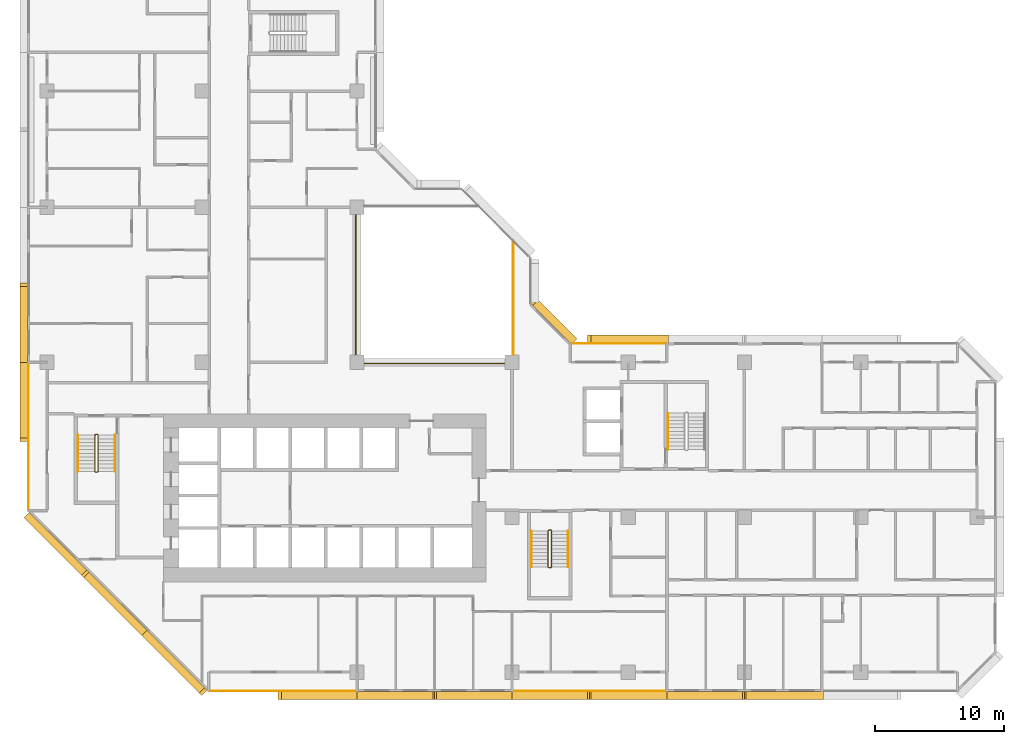
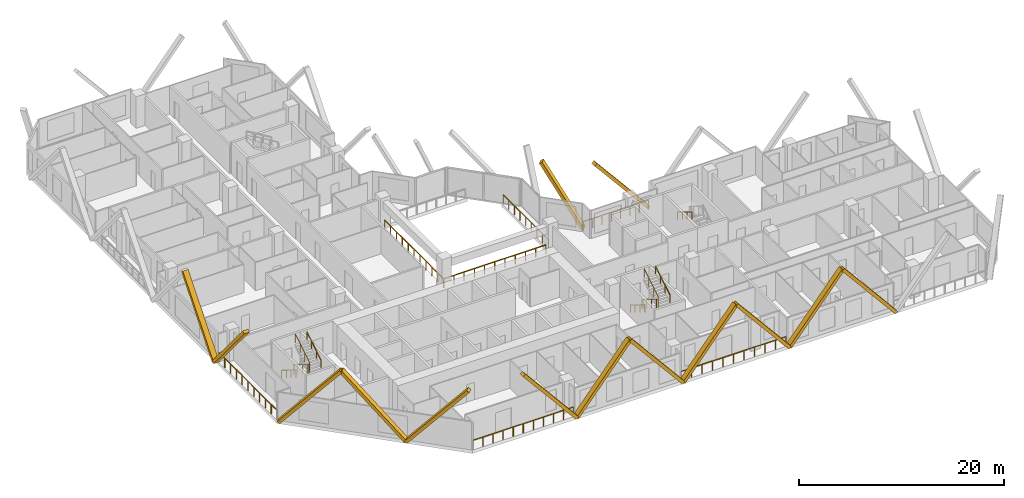
# One storey, part 15 of 16: 14 coverings, 13 railings.
"""IFC4 building model written with IfcOpenShell, lengths in metres."""

from ifc_helpers import new_model, si_unit, direction, frame, origin, origin_2d, place, context, subcontext, project, spatial, rectangle, extrude, material, material_profile, profile_set, type_object, element, save


model = new_model("IFC4")

# Units and contexts
model_context = context("Model", 3, precision=1e-05, world=origin(), true_north=direction((0.0, 1.0)))
body_context = subcontext(model_context, "Body", "Model", "MODEL_VIEW")
ifc_project = project(units=[si_unit("LENGTHUNIT", "METRE"), si_unit("AREAUNIT", "SQUARE_METRE"), si_unit("VOLUMEUNIT", "CUBIC_METRE"), si_unit("PLANEANGLEUNIT", "RADIAN"), si_unit("MASSUNIT", "GRAM", prefix="KILO")], contexts=[model_context])

# Site, building, storey
site_placement = place(None, origin())
site = spatial("IfcSite", under=ifc_project, at=site_placement, CompositionType="ELEMENT")
building_placement = place(site_placement, origin())
building = spatial("IfcBuilding", under=site, at=building_placement, Name="Chenar Terraces", CompositionType="ELEMENT")
storey_placement = place(building_placement, frame((0.0, 0.0, 71.39990234375)))
storey = spatial("IfcBuildingStorey", under=building, at=storey_placement, Name="L15", CompositionType="ELEMENT", Elevation=71.39990234375)

# Railings
ifc_material_1 = material(Name="Powder-coated steel", Category="steel")
railing_type_1 = type_object("IfcRailingType", Name="Guard 1100 steel rail with glass infill", PredefinedType="GUARDRAIL", material=ifc_material_1)
railing_1_placement = place(storey_placement, frame((23.89990234375, 35.449951171875, 0.0)))
element("IfcRailing", 1, at=railing_1_placement, inside=storey, type_object=railing_type_1, Name="Guard L15-1", PredefinedType="GUARDRAIL", context=body_context, shape_type="SweptSolid", body=[
    extrude(rectangle(XDim=0.06005859375, YDim=0.06005859375, at=origin_2d()), frame((0.0, 0.0, 1.070068359375), z_axis=(0.0, -1.0, 0.0), x_axis=(1.0, 0.0, 0.0)), (0.0, 0.0, 1.0), 11.550048828125),
    extrude(rectangle(XDim=0.06005859375, YDim=0.06005859375, at=origin_2d()), frame((0.0, -11.550048828125, 1.070068359375), z_axis=(1.0, 0.0, 0.0), x_axis=(0.0, 1.0, 0.0)), (0.0, 0.0, 1.0), 11.550048828125),
    extrude(rectangle(XDim=0.050048828125, YDim=0.050048828125, at=origin_2d()), origin(), (0.0, 0.0, 1.0), 1.0400390625),
    extrude(rectangle(XDim=0.050048828125, YDim=0.050048828125, at=origin_2d()), frame((0.0, -1.155029296875, 0.0)), (0.0, 0.0, 1.0), 1.0400390625),
    extrude(rectangle(XDim=0.050048828125, YDim=0.050048828125, at=origin_2d()), frame((0.0, -2.31005859375, 0.0)), (0.0, 0.0, 1.0), 1.0400390625),
    extrude(rectangle(XDim=0.050048828125, YDim=0.050048828125, at=origin_2d()), frame((0.0, -3.465087890625, 0.0)), (0.0, 0.0, 1.0), 1.0400390625),
    extrude(rectangle(XDim=0.050048828125, YDim=0.050048828125, at=origin_2d()), frame((0.0, -4.6201171875, 0.0)), (0.0, 0.0, 1.0), 1.0400390625),
    extrude(rectangle(XDim=0.050048828125, YDim=0.050048828125, at=origin_2d()), frame((0.0, -5.77490234375, 0.0)), (0.0, 0.0, 1.0), 1.0400390625),
    extrude(rectangle(XDim=0.050048828125, YDim=0.050048828125, at=origin_2d()), frame((0.0, -6.929931640625, 0.0)), (0.0, 0.0, 1.0), 1.0400390625),
    extrude(rectangle(XDim=0.050048828125, YDim=0.050048828125, at=origin_2d()), frame((0.0, -8.0849609375, 0.0)), (0.0, 0.0, 1.0), 1.0400390625),
    extrude(rectangle(XDim=0.050048828125, YDim=0.050048828125, at=origin_2d()), frame((0.0, -9.239990234375, 0.0)), (0.0, 0.0, 1.0), 1.0400390625),
    extrude(rectangle(XDim=0.050048828125, YDim=0.050048828125, at=origin_2d()), frame((0.0, -10.39501953125, 0.0)), (0.0, 0.0, 1.0), 1.0400390625),
    extrude(rectangle(XDim=0.050048828125, YDim=0.050048828125, at=origin_2d()), frame((0.0, -11.550048828125, 0.0)), (0.0, 0.0, 1.0), 1.0400390625),
    extrude(rectangle(XDim=0.050048828125, YDim=0.050048828125, at=origin_2d()), frame((1.155029296875, -11.550048828125, 0.0)), (0.0, 0.0, 1.0), 1.0400390625),
    extrude(rectangle(XDim=0.050048828125, YDim=0.050048828125, at=origin_2d()), frame((2.31005859375, -11.550048828125, 0.0)), (0.0, 0.0, 1.0), 1.0400390625),
    extrude(rectangle(XDim=0.050048828125, YDim=0.050048828125, at=origin_2d()), frame((3.465087890625, -11.550048828125, 0.0)), (0.0, 0.0, 1.0), 1.0400390625),
    extrude(rectangle(XDim=0.050048828125, YDim=0.050048828125, at=origin_2d()), frame((4.6201171875, -11.550048828125, 0.0)), (0.0, 0.0, 1.0), 1.0400390625),
    extrude(rectangle(XDim=0.050048828125, YDim=0.050048828125, at=origin_2d()), frame((5.77490234375, -11.550048828125, 0.0)), (0.0, 0.0, 1.0), 1.0400390625),
    extrude(rectangle(XDim=0.050048828125, YDim=0.050048828125, at=origin_2d()), frame((6.929931640625, -11.550048828125, 0.0)), (0.0, 0.0, 1.0), 1.0400390625),
    extrude(rectangle(XDim=0.050048828125, YDim=0.050048828125, at=origin_2d()), frame((8.0849609375, -11.550048828125, 0.0)), (0.0, 0.0, 1.0), 1.0400390625),
    extrude(rectangle(XDim=0.050048828125, YDim=0.050048828125, at=origin_2d()), frame((9.239990234375, -11.550048828125, 0.0)), (0.0, 0.0, 1.0), 1.0400390625),
    extrude(rectangle(XDim=0.050048828125, YDim=0.050048828125, at=origin_2d()), frame((10.39501953125, -11.550048828125, 0.0)), (0.0, 0.0, 1.0), 1.0400390625),
    extrude(rectangle(XDim=0.050048828125, YDim=0.050048828125, at=origin_2d()), frame((11.550048828125, -11.550048828125, 0.0)), (0.0, 0.0, 1.0), 1.0400390625),
])
railing_2_placement = place(storey_placement, frame((36.10009765625, 24.60009765625, 0.0)))
element("IfcRailing", 2, at=railing_2_placement, inside=storey, type_object=railing_type_1, Name="Guard L15-3", PredefinedType="GUARDRAIL", context=body_context, shape_type="SweptSolid", body=[
    extrude(rectangle(XDim=0.06005859375, YDim=0.06005859375, at=origin_2d()), frame((0.0, 0.0, 1.070068359375), z_axis=(0.0, 1.0, 0.0), x_axis=(-1.0, 0.0, 0.0)), (0.0, 0.0, 1.0), 8.7998046875),
    extrude(rectangle(XDim=0.050048828125, YDim=0.050048828125, at=origin_2d()), origin(), (0.0, 0.0, 1.0), 1.0400390625),
    extrude(rectangle(XDim=0.050048828125, YDim=0.050048828125, at=origin_2d()), frame((0.0, 1.10009765625, 0.0)), (0.0, 0.0, 1.0), 1.0400390625),
    extrude(rectangle(XDim=0.050048828125, YDim=0.050048828125, at=origin_2d()), frame((0.0, 2.199951171875, 0.0)), (0.0, 0.0, 1.0), 1.0400390625),
    extrude(rectangle(XDim=0.050048828125, YDim=0.050048828125, at=origin_2d()), frame((0.0, 3.2998046875, 0.0)), (0.0, 0.0, 1.0), 1.0400390625),
    extrude(rectangle(XDim=0.050048828125, YDim=0.050048828125, at=origin_2d()), frame((0.0, 4.39990234375, 0.0)), (0.0, 0.0, 1.0), 1.0400390625),
    extrude(rectangle(XDim=0.050048828125, YDim=0.050048828125, at=origin_2d()), frame((0.0, 5.5, 0.0)), (0.0, 0.0, 1.0), 1.0400390625),
    extrude(rectangle(XDim=0.050048828125, YDim=0.050048828125, at=origin_2d()), frame((0.0, 6.599853515625, 0.0)), (0.0, 0.0, 1.0), 1.0400390625),
    extrude(rectangle(XDim=0.050048828125, YDim=0.050048828125, at=origin_2d()), frame((0.0, 7.69970703125, 0.0)), (0.0, 0.0, 1.0), 1.0400390625),
    extrude(rectangle(XDim=0.050048828125, YDim=0.050048828125, at=origin_2d()), frame((0.0, 8.7998046875, 0.0)), (0.0, 0.0, 1.0), 1.0400390625),
])
ifc_material_2 = material(Name="Stainless steel and glass", Category="steel")
railing_type_2 = type_object("IfcRailingType", Name="Loggia guard 1150", PredefinedType="GUARDRAIL", material=ifc_material_2)
railing_3_placement = place(storey_placement, frame((47.925048828125, 25.449951171875, 0.0)))
element("IfcRailing", 3, at=railing_3_placement, inside=storey, type_object=railing_type_2, Name="Loggia guard", PredefinedType="GUARDRAIL", context=body_context, shape_type="SweptSolid", body=[
    extrude(rectangle(XDim=0.048095703125, YDim=0.048095703125, at=origin_2d()), frame((0.0, 0.0, 1.1259765625), z_axis=(-1.0, 0.0, 0.0), x_axis=(0.0, -1.0, 0.0)), (0.0, 0.0, 1.0), 7.35009765625),
    extrude(rectangle(XDim=0.0419921875, YDim=0.0419921875, at=origin_2d()), origin(), (0.0, 0.0, 1.0), 1.101806640625),
    extrude(rectangle(XDim=0.0419921875, YDim=0.0419921875, at=origin_2d()), frame((-1.050048828125, 0.0, 0.0)), (0.0, 0.0, 1.0), 1.101806640625),
    extrude(rectangle(XDim=0.0419921875, YDim=0.0419921875, at=origin_2d()), frame((-2.10009765625, 0.0, 0.0)), (0.0, 0.0, 1.0), 1.101806640625),
    extrude(rectangle(XDim=0.0419921875, YDim=0.0419921875, at=origin_2d()), frame((-3.150146484375, 0.0, 0.0)), (0.0, 0.0, 1.0), 1.101806640625),
    extrude(rectangle(XDim=0.0419921875, YDim=0.0419921875, at=origin_2d()), frame((-4.199951171875, 0.0, 0.0)), (0.0, 0.0, 1.0), 1.101806640625),
    extrude(rectangle(XDim=0.0419921875, YDim=0.0419921875, at=origin_2d()), frame((-5.25, 0.0, 0.0)), (0.0, 0.0, 1.0), 1.101806640625),
    extrude(rectangle(XDim=0.0419921875, YDim=0.0419921875, at=origin_2d()), frame((-6.300048828125, 0.0, 0.0)), (0.0, 0.0, 1.0), 1.101806640625),
    extrude(rectangle(XDim=0.0419921875, YDim=0.0419921875, at=origin_2d()), frame((-7.35009765625, 0.0, 0.0)), (0.0, 0.0, 1.0), 1.101806640625),
])
railing_4_placement = place(storey_placement, frame((12.574951171875, -1.449951171875, 0.0)))
element("IfcRailing", 4, at=railing_4_placement, inside=storey, type_object=railing_type_2, Name="Loggia guard", PredefinedType="GUARDRAIL", context=body_context, shape_type="SweptSolid", body=[
    extrude(rectangle(XDim=0.048095703125, YDim=0.048095703125, at=origin_2d()), frame((0.0, 0.0, 1.1259765625), z_axis=(1.0, 0.0, 0.0), x_axis=(0.0, 1.0, 0.0)), (0.0, 0.0, 1.0), 11.35009765625),
    extrude(rectangle(XDim=0.0419921875, YDim=0.0419921875, at=origin_2d()), origin(), (0.0, 0.0, 1.0), 1.101806640625),
    extrude(rectangle(XDim=0.0419921875, YDim=0.0419921875, at=origin_2d()), frame((1.135009765625, 0.0, 0.0)), (0.0, 0.0, 1.0), 1.101806640625),
    extrude(rectangle(XDim=0.0419921875, YDim=0.0419921875, at=origin_2d()), frame((2.27001953125, 0.0, 0.0)), (0.0, 0.0, 1.0), 1.101806640625),
    extrude(rectangle(XDim=0.0419921875, YDim=0.0419921875, at=origin_2d()), frame((3.405029296875, 0.0, 0.0)), (0.0, 0.0, 1.0), 1.101806640625),
    extrude(rectangle(XDim=0.0419921875, YDim=0.0419921875, at=origin_2d()), frame((4.5400390625, 0.0, 0.0)), (0.0, 0.0, 1.0), 1.101806640625),
    extrude(rectangle(XDim=0.0419921875, YDim=0.0419921875, at=origin_2d()), frame((5.675048828125, 0.0, 0.0)), (0.0, 0.0, 1.0), 1.101806640625),
    extrude(rectangle(XDim=0.0419921875, YDim=0.0419921875, at=origin_2d()), frame((6.81005859375, 0.0, 0.0)), (0.0, 0.0, 1.0), 1.101806640625),
    extrude(rectangle(XDim=0.0419921875, YDim=0.0419921875, at=origin_2d()), frame((7.945068359375, 0.0, 0.0)), (0.0, 0.0, 1.0), 1.101806640625),
    extrude(rectangle(XDim=0.0419921875, YDim=0.0419921875, at=origin_2d()), frame((9.080078125, 0.0, 0.0)), (0.0, 0.0, 1.0), 1.101806640625),
    extrude(rectangle(XDim=0.0419921875, YDim=0.0419921875, at=origin_2d()), frame((10.215087890625, 0.0, 0.0)), (0.0, 0.0, 1.0), 1.101806640625),
    extrude(rectangle(XDim=0.0419921875, YDim=0.0419921875, at=origin_2d()), frame((11.35009765625, 0.0, 0.0)), (0.0, 0.0, 1.0), 1.101806640625),
])
railing_5_placement = place(storey_placement, frame((36.074951171875, -1.449951171875, 0.0)))
element("IfcRailing", 5, at=railing_5_placement, inside=storey, type_object=railing_type_2, Name="Loggia guard", PredefinedType="GUARDRAIL", context=body_context, shape_type="SweptSolid", body=[
    extrude(rectangle(XDim=0.048095703125, YDim=0.048095703125, at=origin_2d()), frame((0.0, 0.0, 1.1259765625), z_axis=(1.0, 0.0, 0.0), x_axis=(0.0, 1.0, 0.0)), (0.0, 0.0, 1.0), 11.85009765625),
    extrude(rectangle(XDim=0.0419921875, YDim=0.0419921875, at=origin_2d()), origin(), (0.0, 0.0, 1.0), 1.101806640625),
    extrude(rectangle(XDim=0.0419921875, YDim=0.0419921875, at=origin_2d()), frame((1.18505859375, 0.0, 0.0)), (0.0, 0.0, 1.0), 1.101806640625),
    extrude(rectangle(XDim=0.0419921875, YDim=0.0419921875, at=origin_2d()), frame((2.3701171875, 0.0, 0.0)), (0.0, 0.0, 1.0), 1.101806640625),
    extrude(rectangle(XDim=0.0419921875, YDim=0.0419921875, at=origin_2d()), frame((3.554931640625, 0.0, 0.0)), (0.0, 0.0, 1.0), 1.101806640625),
    extrude(rectangle(XDim=0.0419921875, YDim=0.0419921875, at=origin_2d()), frame((4.739990234375, 0.0, 0.0)), (0.0, 0.0, 1.0), 1.101806640625),
    extrude(rectangle(XDim=0.0419921875, YDim=0.0419921875, at=origin_2d()), frame((5.925048828125, 0.0, 0.0)), (0.0, 0.0, 1.0), 1.101806640625),
    extrude(rectangle(XDim=0.0419921875, YDim=0.0419921875, at=origin_2d()), frame((7.110107421875, 0.0, 0.0)), (0.0, 0.0, 1.0), 1.101806640625),
    extrude(rectangle(XDim=0.0419921875, YDim=0.0419921875, at=origin_2d()), frame((8.295166015625, 0.0, 0.0)), (0.0, 0.0, 1.0), 1.101806640625),
    extrude(rectangle(XDim=0.0419921875, YDim=0.0419921875, at=origin_2d()), frame((9.47998046875, 0.0, 0.0)), (0.0, 0.0, 1.0), 1.101806640625),
    extrude(rectangle(XDim=0.0419921875, YDim=0.0419921875, at=origin_2d()), frame((10.6650390625, 0.0, 0.0)), (0.0, 0.0, 1.0), 1.101806640625),
    extrude(rectangle(XDim=0.0419921875, YDim=0.0419921875, at=origin_2d()), frame((11.85009765625, 0.0, 0.0)), (0.0, 0.0, 1.0), 1.101806640625),
])
railing_6_placement = place(storey_placement, frame((-1.449951171875, 23.925048828125, 0.0)))
element("IfcRailing", 6, at=railing_6_placement, inside=storey, type_object=railing_type_2, Name="Loggia guard", PredefinedType="GUARDRAIL", context=body_context, shape_type="SweptSolid", body=[
    extrude(rectangle(XDim=0.048095703125, YDim=0.048095703125, at=origin_2d()), frame((0.0, 0.0, 1.1259765625), z_axis=(0.0, -1.0, 0.0), x_axis=(1.0, 0.0, 0.0)), (0.0, 0.0, 1.0), 11.35009765625),
    extrude(rectangle(XDim=0.0419921875, YDim=0.0419921875, at=origin_2d()), origin(), (0.0, 0.0, 1.0), 1.101806640625),
    extrude(rectangle(XDim=0.0419921875, YDim=0.0419921875, at=origin_2d()), frame((0.0, -1.135009765625, 0.0)), (0.0, 0.0, 1.0), 1.101806640625),
    extrude(rectangle(XDim=0.0419921875, YDim=0.0419921875, at=origin_2d()), frame((0.0, -2.27001953125, 0.0)), (0.0, 0.0, 1.0), 1.101806640625),
    extrude(rectangle(XDim=0.0419921875, YDim=0.0419921875, at=origin_2d()), frame((0.0, -3.405029296875, 0.0)), (0.0, 0.0, 1.0), 1.101806640625),
    extrude(rectangle(XDim=0.0419921875, YDim=0.0419921875, at=origin_2d()), frame((0.0, -4.5400390625, 0.0)), (0.0, 0.0, 1.0), 1.101806640625),
    extrude(rectangle(XDim=0.0419921875, YDim=0.0419921875, at=origin_2d()), frame((0.0, -5.675048828125, 0.0)), (0.0, 0.0, 1.0), 1.101806640625),
    extrude(rectangle(XDim=0.0419921875, YDim=0.0419921875, at=origin_2d()), frame((0.0, -6.81005859375, 0.0)), (0.0, 0.0, 1.0), 1.101806640625),
    extrude(rectangle(XDim=0.0419921875, YDim=0.0419921875, at=origin_2d()), frame((0.0, -7.945068359375, 0.0)), (0.0, 0.0, 1.0), 1.101806640625),
    extrude(rectangle(XDim=0.0419921875, YDim=0.0419921875, at=origin_2d()), frame((0.0, -9.080078125, 0.0)), (0.0, 0.0, 1.0), 1.101806640625),
    extrude(rectangle(XDim=0.0419921875, YDim=0.0419921875, at=origin_2d()), frame((0.0, -10.215087890625, 0.0)), (0.0, 0.0, 1.0), 1.101806640625),
    extrude(rectangle(XDim=0.0419921875, YDim=0.0419921875, at=origin_2d()), frame((0.0, -11.35009765625, 0.0)), (0.0, 0.0, 1.0), 1.101806640625),
])
ifc_material_3 = material(Name="Powder-coated steel", Category="steel")
railing_type_3 = type_object("IfcRailingType", Name="Stair guard 1100", PredefinedType="GUARDRAIL", material=ifc_material_3)
railing_7_placement = place(storey_placement, frame((3.949951171875, 18.35009765625, 3.75)))
element("IfcRailing", 7, at=railing_7_placement, inside=storey, type_object=railing_type_3, Name="L15 ST1 stair guard 1", PredefinedType="GUARDRAIL", context=body_context, shape_type="SweptSolid", body=[
    extrude(rectangle(XDim=0.048095703125, YDim=0.048095703125, at=origin_2d()), frame((0.0, 0.0, 1.076171875), z_axis=(0.0, -0.854202870247, -0.519939858505), x_axis=(1.0, 0.0, 0.0)), (0.0, 0.0, 1.0), 3.278076171875),
    extrude(rectangle(XDim=0.048095703125, YDim=0.048095703125, at=origin_2d()), frame((0.0, -2.800048828125, -0.62841796875), z_axis=(-0.270899902878, -0.270899902878, -0.923702595667), x_axis=(0.707106781187, -0.707106781187, 0.0)), (0.0, 0.0, 1.0), 0.184814453125),
    extrude(rectangle(XDim=0.048095703125, YDim=0.048095703125, at=origin_2d()), frame((-0.050048828125, -2.85009765625, -0.798828125), z_axis=(-1.0, 0.0, 0.0), x_axis=(0.0, -1.0, 0.0)), (0.0, 0.0, 1.0), 0.14990234375),
    extrude(rectangle(XDim=0.048095703125, YDim=0.048095703125, at=origin_2d()), frame((-0.199951171875, -2.85009765625, -0.798828125), z_axis=(-0.707106781187, 0.707106781187, 0.0), x_axis=(-0.707106781187, -0.707106781187, 0.0)), (0.0, 0.0, 1.0), 0.07080078125),
    extrude(rectangle(XDim=0.048095703125, YDim=0.048095703125, at=origin_2d()), frame((-0.25, -2.800048828125, -0.798828125), z_axis=(0.0, 0.854202870247, -0.519939858505), x_axis=(-1.0, 0.0, 0.0)), (0.0, 0.0, 1.0), 3.278076171875),
    extrude(rectangle(XDim=0.048095703125, YDim=0.048095703125, at=origin_2d()), frame((-0.25, 0.0, -2.50341796875), z_axis=(0.270996696079, 0.269674760976, -0.924032636873), x_axis=(-0.705375805398, 0.708833529934, 0.0)), (0.0, 0.0, 1.0), 0.1845703125),
    extrude(rectangle(XDim=0.048095703125, YDim=0.048095703125, at=origin_2d()), frame((-0.199951171875, 0.0498046875, -2.673828125), z_axis=(1.0, 0.0, 0.0), x_axis=(0.0, 1.0, 0.0)), (0.0, 0.0, 1.0), 0.14990234375),
    extrude(rectangle(XDim=0.0419921875, YDim=0.0419921875, at=origin_2d()), origin(), (0.0, 0.0, 1.0), 1.052001953125),
    extrude(rectangle(XDim=0.0419921875, YDim=0.0419921875, at=origin_2d()), frame((0.0, -0.933349609375, -0.568115234375)), (0.0, 0.0, 1.0), 1.052001953125),
    extrude(rectangle(XDim=0.0419921875, YDim=0.0419921875, at=origin_2d()), frame((0.0, -1.86669921875, -1.13623046875)), (0.0, 0.0, 1.0), 1.052001953125),
    extrude(rectangle(XDim=0.0419921875, YDim=0.0419921875, at=origin_2d()), frame((0.0, -2.800048828125, -1.704345703125)), (0.0, 0.0, 1.0), 1.052001953125),
    extrude(rectangle(XDim=0.0419921875, YDim=0.0419921875, at=origin_2d()), frame((-0.050048828125, -2.85009765625, -1.875)), (0.0, 0.0, 1.0), 1.052001953125),
    extrude(rectangle(XDim=0.0419921875, YDim=0.0419921875, at=origin_2d()), frame((-0.199951171875, -2.85009765625, -1.875)), (0.0, 0.0, 1.0), 1.052001953125),
    extrude(rectangle(XDim=0.0419921875, YDim=0.0419921875, at=origin_2d()), frame((-0.25, -2.800048828125, -1.875)), (0.0, 0.0, 1.0), 1.052001953125),
    extrude(rectangle(XDim=0.0419921875, YDim=0.0419921875, at=origin_2d()), frame((-0.25, -1.86669921875, -2.443115234375)), (0.0, 0.0, 1.0), 1.052001953125),
    extrude(rectangle(XDim=0.0419921875, YDim=0.0419921875, at=origin_2d()), frame((-0.25, -0.933349609375, -3.01123046875)), (0.0, 0.0, 1.0), 1.052001953125),
    extrude(rectangle(XDim=0.0419921875, YDim=0.0419921875, at=origin_2d()), frame((-0.25, 0.0, -3.579345703125)), (0.0, 0.0, 1.0), 1.052001953125),
    extrude(rectangle(XDim=0.0419921875, YDim=0.0419921875, at=origin_2d()), frame((-0.199951171875, 0.0498046875, -3.75)), (0.0, 0.0, 1.0), 1.052001953125),
    extrude(rectangle(XDim=0.0419921875, YDim=0.0419921875, at=origin_2d()), frame((-0.050048828125, 0.0498046875, -3.75)), (0.0, 0.0, 1.0), 1.052001953125),
])
railing_8_placement = place(storey_placement, frame((39.050048828125, 10.949951171875, 3.75)))
element("IfcRailing", 8, at=railing_8_placement, inside=storey, type_object=railing_type_3, Name="L15 ST2 stair guard 1", PredefinedType="GUARDRAIL", context=body_context, shape_type="SweptSolid", body=[
    extrude(rectangle(XDim=0.048095703125, YDim=0.048095703125, at=origin_2d()), frame((0.0, 0.0, 1.076171875), z_axis=(0.0, -0.854202870247, -0.519939858505), x_axis=(1.0, 0.0, 0.0)), (0.0, 0.0, 1.0), 3.278076171875),
    extrude(rectangle(XDim=0.048095703125, YDim=0.048095703125, at=origin_2d()), frame((0.0, -2.800048828125, -0.62841796875), z_axis=(-0.270996696079, -0.269674760976, -0.924032636873), x_axis=(0.705375805398, -0.708833529934, 0.0)), (0.0, 0.0, 1.0), 0.1845703125),
    extrude(rectangle(XDim=0.048095703125, YDim=0.048095703125, at=origin_2d()), frame((-0.050048828125, -2.849853515625, -0.798828125), z_axis=(-1.0, 0.0, 0.0), x_axis=(0.0, -1.0, 0.0)), (0.0, 0.0, 1.0), 0.14990234375),
    extrude(rectangle(XDim=0.048095703125, YDim=0.048095703125, at=origin_2d()), frame((-0.199951171875, -2.849853515625, -0.798828125), z_axis=(-0.708833529934, 0.705375805398, 0.0), x_axis=(-0.705375805398, -0.708833529934, 0.0)), (0.0, 0.0, 1.0), 0.070556640625),
    extrude(rectangle(XDim=0.048095703125, YDim=0.048095703125, at=origin_2d()), frame((-0.25, -2.800048828125, -0.798828125), z_axis=(0.0, 0.854202870247, -0.519939858505), x_axis=(-1.0, 0.0, 0.0)), (0.0, 0.0, 1.0), 3.278076171875),
    extrude(rectangle(XDim=0.048095703125, YDim=0.048095703125, at=origin_2d()), frame((-0.25, 0.0, -2.50341796875), z_axis=(0.270899902878, 0.270899902878, -0.923702595667), x_axis=(-0.707106781187, 0.707106781187, 0.0)), (0.0, 0.0, 1.0), 0.184814453125),
    extrude(rectangle(XDim=0.048095703125, YDim=0.048095703125, at=origin_2d()), frame((-0.199951171875, 0.050048828125, -2.673828125), z_axis=(1.0, 0.0, 0.0), x_axis=(0.0, 1.0, 0.0)), (0.0, 0.0, 1.0), 0.14990234375),
    extrude(rectangle(XDim=0.0419921875, YDim=0.0419921875, at=origin_2d()), origin(), (0.0, 0.0, 1.0), 1.052001953125),
    extrude(rectangle(XDim=0.0419921875, YDim=0.0419921875, at=origin_2d()), frame((0.0, -0.933349609375, -0.568115234375)), (0.0, 0.0, 1.0), 1.052001953125),
    extrude(rectangle(XDim=0.0419921875, YDim=0.0419921875, at=origin_2d()), frame((0.0, -1.86669921875, -1.13623046875)), (0.0, 0.0, 1.0), 1.052001953125),
    extrude(rectangle(XDim=0.0419921875, YDim=0.0419921875, at=origin_2d()), frame((0.0, -2.800048828125, -1.704345703125)), (0.0, 0.0, 1.0), 1.052001953125),
    extrude(rectangle(XDim=0.0419921875, YDim=0.0419921875, at=origin_2d()), frame((-0.050048828125, -2.849853515625, -1.875)), (0.0, 0.0, 1.0), 1.052001953125),
    extrude(rectangle(XDim=0.0419921875, YDim=0.0419921875, at=origin_2d()), frame((-0.199951171875, -2.849853515625, -1.875)), (0.0, 0.0, 1.0), 1.052001953125),
    extrude(rectangle(XDim=0.0419921875, YDim=0.0419921875, at=origin_2d()), frame((-0.25, -2.800048828125, -1.875)), (0.0, 0.0, 1.0), 1.052001953125),
    extrude(rectangle(XDim=0.0419921875, YDim=0.0419921875, at=origin_2d()), frame((-0.25, -1.86669921875, -2.443115234375)), (0.0, 0.0, 1.0), 1.052001953125),
    extrude(rectangle(XDim=0.0419921875, YDim=0.0419921875, at=origin_2d()), frame((-0.25, -0.933349609375, -3.01123046875)), (0.0, 0.0, 1.0), 1.052001953125),
    extrude(rectangle(XDim=0.0419921875, YDim=0.0419921875, at=origin_2d()), frame((-0.25, 0.0, -3.579345703125)), (0.0, 0.0, 1.0), 1.052001953125),
    extrude(rectangle(XDim=0.0419921875, YDim=0.0419921875, at=origin_2d()), frame((-0.199951171875, 0.050048828125, -3.75)), (0.0, 0.0, 1.0), 1.052001953125),
    extrude(rectangle(XDim=0.0419921875, YDim=0.0419921875, at=origin_2d()), frame((-0.050048828125, 0.050048828125, -3.75)), (0.0, 0.0, 1.0), 1.052001953125),
])
ifc_material_4 = material(Name="Powder-coated steel", Category="steel")
railing_type_4 = type_object("IfcRailingType", Name="Stair handrail 900", PredefinedType="HANDRAIL", material=ifc_material_4)
railing_9_placement = place(storey_placement, frame((2.39990234375, 18.35009765625, 0.170654296875)))
element("IfcRailing", 9, at=railing_9_placement, inside=storey, type_object=railing_type_4, Name="L15 ST1 stair handrail 1", PredefinedType="HANDRAIL", context=body_context, shape_type="SweptSolid", body=[
    extrude(rectangle(XDim=0.048095703125, YDim=0.048095703125, at=origin_2d()), frame((0.0, 0.0, 0.8759765625), z_axis=(0.0, -0.854202870247, 0.519939858505), x_axis=(1.0, 0.0, 0.0)), (0.0, 0.0, 1.0), 3.278076171875),
    extrude(rectangle(XDim=0.0419921875, YDim=0.0419921875, at=origin_2d()), origin(), (0.0, 0.0, 1.0), 0.851806640625),
    extrude(rectangle(XDim=0.0419921875, YDim=0.0419921875, at=origin_2d()), frame((0.0, -0.933349609375, 0.568115234375)), (0.0, 0.0, 1.0), 0.851806640625),
    extrude(rectangle(XDim=0.0419921875, YDim=0.0419921875, at=origin_2d()), frame((0.0, -1.86669921875, 1.13623046875)), (0.0, 0.0, 1.0), 0.851806640625),
    extrude(rectangle(XDim=0.0419921875, YDim=0.0419921875, at=origin_2d()), frame((0.0, -2.800048828125, 1.704345703125)), (0.0, 0.0, 1.0), 0.851806640625),
])
railing_10_placement = place(storey_placement, frame((5.25, 15.550048828125, 2.045654296875)))
element("IfcRailing", 10, at=railing_10_placement, inside=storey, type_object=railing_type_4, Name="L15 ST1 stair handrail 2", PredefinedType="HANDRAIL", context=body_context, shape_type="SweptSolid", body=[
    extrude(rectangle(XDim=0.048095703125, YDim=0.048095703125, at=origin_2d()), frame((0.0, 0.0, 0.8759765625), z_axis=(0.0, 0.854202870247, 0.519939858505), x_axis=(-1.0, 0.0, 0.0)), (0.0, 0.0, 1.0), 3.278076171875),
    extrude(rectangle(XDim=0.0419921875, YDim=0.0419921875, at=origin_2d()), origin(), (0.0, 0.0, 1.0), 0.851806640625),
    extrude(rectangle(XDim=0.0419921875, YDim=0.0419921875, at=origin_2d()), frame((0.0, 0.933349609375, 0.568115234375)), (0.0, 0.0, 1.0), 0.851806640625),
    extrude(rectangle(XDim=0.0419921875, YDim=0.0419921875, at=origin_2d()), frame((0.0, 1.86669921875, 1.13623046875)), (0.0, 0.0, 1.0), 0.851806640625),
    extrude(rectangle(XDim=0.0419921875, YDim=0.0419921875, at=origin_2d()), frame((0.0, 2.800048828125, 1.704345703125)), (0.0, 0.0, 1.0), 0.851806640625),
])
railing_11_placement = place(storey_placement, frame((37.5, 10.949951171875, 0.170654296875)))
element("IfcRailing", 11, at=railing_11_placement, inside=storey, type_object=railing_type_4, Name="L15 ST2 stair handrail 1", PredefinedType="HANDRAIL", context=body_context, shape_type="SweptSolid", body=[
    extrude(rectangle(XDim=0.048095703125, YDim=0.048095703125, at=origin_2d()), frame((0.0, 0.0, 0.8759765625), z_axis=(0.0, -0.854202870247, 0.519939858505), x_axis=(1.0, 0.0, 0.0)), (0.0, 0.0, 1.0), 3.278076171875),
    extrude(rectangle(XDim=0.0419921875, YDim=0.0419921875, at=origin_2d()), origin(), (0.0, 0.0, 1.0), 0.851806640625),
    extrude(rectangle(XDim=0.0419921875, YDim=0.0419921875, at=origin_2d()), frame((0.0, -0.933349609375, 0.568115234375)), (0.0, 0.0, 1.0), 0.851806640625),
    extrude(rectangle(XDim=0.0419921875, YDim=0.0419921875, at=origin_2d()), frame((0.0, -1.86669921875, 1.13623046875)), (0.0, 0.0, 1.0), 0.851806640625),
    extrude(rectangle(XDim=0.0419921875, YDim=0.0419921875, at=origin_2d()), frame((0.0, -2.800048828125, 1.704345703125)), (0.0, 0.0, 1.0), 0.851806640625),
])
railing_12_placement = place(storey_placement, frame((40.35009765625, 8.14990234375, 2.045654296875)))
element("IfcRailing", 12, at=railing_12_placement, inside=storey, type_object=railing_type_4, Name="L15 ST2 stair handrail 2", PredefinedType="HANDRAIL", context=body_context, shape_type="SweptSolid", body=[
    extrude(rectangle(XDim=0.048095703125, YDim=0.048095703125, at=origin_2d()), frame((0.0, 0.0, 0.8759765625), z_axis=(0.0, 0.854202870247, 0.519939858505), x_axis=(-1.0, 0.0, 0.0)), (0.0, 0.0, 1.0), 3.278076171875),
    extrude(rectangle(XDim=0.0419921875, YDim=0.0419921875, at=origin_2d()), origin(), (0.0, 0.0, 1.0), 0.851806640625),
    extrude(rectangle(XDim=0.0419921875, YDim=0.0419921875, at=origin_2d()), frame((0.0, 0.933349609375, 0.568115234375)), (0.0, 0.0, 1.0), 0.851806640625),
    extrude(rectangle(XDim=0.0419921875, YDim=0.0419921875, at=origin_2d()), frame((0.0, 1.86669921875, 1.13623046875)), (0.0, 0.0, 1.0), 0.851806640625),
    extrude(rectangle(XDim=0.0419921875, YDim=0.0419921875, at=origin_2d()), frame((0.0, 2.800048828125, 1.704345703125)), (0.0, 0.0, 1.0), 0.851806640625),
])
railing_13_placement = place(storey_placement, frame((48.074951171875, 20.050048828125, 2.045654296875)))
element("IfcRailing", 13, at=railing_13_placement, inside=storey, type_object=railing_type_4, Name="L15 ST3 stair handrail 2", PredefinedType="HANDRAIL", context=body_context, shape_type="SweptSolid", body=[
    extrude(rectangle(XDim=0.048095703125, YDim=0.048095703125, at=origin_2d()), frame((0.0, 0.0, 0.8759765625), z_axis=(0.0, -0.854202870247, 0.519939858505), x_axis=(1.0, 0.0, 0.0)), (0.0, 0.0, 1.0), 3.278076171875),
    extrude(rectangle(XDim=0.0419921875, YDim=0.0419921875, at=origin_2d()), origin(), (0.0, 0.0, 1.0), 0.851806640625),
    extrude(rectangle(XDim=0.0419921875, YDim=0.0419921875, at=origin_2d()), frame((0.0, -0.933349609375, 0.568115234375)), (0.0, 0.0, 1.0), 0.851806640625),
    extrude(rectangle(XDim=0.0419921875, YDim=0.0419921875, at=origin_2d()), frame((0.0, -1.86669921875, 1.13623046875)), (0.0, 0.0, 1.0), 0.851806640625),
    extrude(rectangle(XDim=0.0419921875, YDim=0.0419921875, at=origin_2d()), frame((0.0, -2.800048828125, 1.704345703125)), (0.0, 0.0, 1.0), 0.851806640625),
])

# Coverings
ifc_material_5 = material(Name="Terracotta", Category="masonry")
ifc_material_profile = material_profile(ifc_material_5, rectangle(XDim=0.60009765625, YDim=0.35009765625, at=origin_2d()), Name="Terracotta baguette 600 x 350")
ifc_profile_set = profile_set([ifc_material_profile], Name="Terracotta")
covering_type = type_object("IfcCoveringType", Name="Terracotta baguette 600 x 350", PredefinedType="CLADDING", material=ifc_profile_set)
covering_1_placement = place(storey_placement, frame((48.0, 25.800048828125, 0.150146484375), z_axis=(-0.640186961885, 0.0, 0.768219144407), x_axis=(0.0, -1.0, 0.0)))
element("IfcCovering", 14, at=covering_1_placement, inside=storey, type_object=covering_type, Name="Terracotta baguette", PredefinedType="CLADDING", context=body_context, shape_type="SweptSolid", body=[
    extrude(rectangle(XDim=0.60009765625, YDim=0.35009765625, at=origin_2d()), origin(), (0.0, 0.0, 1.0), 9.372314453125),
])
covering_2_placement = place(storey_placement, frame((40.712158203125, 25.712158203125, 0.150146484375), z_axis=(-0.358980886355, 0.358980886355, 0.861548284464), x_axis=(-0.707106781187, -0.707106781187, 0.0)))
element("IfcCovering", 15, at=covering_2_placement, inside=storey, type_object=covering_type, Name="Terracotta baguette", PredefinedType="CLADDING", context=body_context, shape_type="SweptSolid", body=[
    extrude(rectangle(XDim=0.60009765625, YDim=0.35009765625, at=origin_2d()), origin(), (0.0, 0.0, 1.0), 8.35693359375),
])
for number, where, z_axis, x_axis, name in (
    (16, (-1.800048828125, 30.0, 7.35009765625), (0.0, -0.640186961885, -0.768219144407), (1.0, 0.0, 0.0), "Terracotta baguette"),
    (17, (-1.800048828125, 24.0, 0.150146484375), (0.0, -0.640186961885, 0.768219144407), (1.0, 0.0, 0.0), "Terracotta baguette"),
):
    element("IfcCovering", number, at=place(storey_placement, frame(where, z_axis=z_axis, x_axis=x_axis)), inside=storey, type_object=covering_type, Name=name, PredefinedType="CLADDING", context=body_context, shape_type="SweptSolid", body=[
        extrude(rectangle(XDim=0.60009765625, YDim=0.35009765625, at=origin_2d()), origin(), (0.0, 0.0, 1.0), 9.372314453125),
    ])
covering_3_placement = place(storey_placement, frame((-1.5, 12.07568359375, 0.150146484375), z_axis=(0.465624035565, -0.465624035565, 0.752587878595), x_axis=(0.707106781187, 0.707106781187, 0.0)))
element("IfcCovering", 18, at=covering_3_placement, inside=storey, type_object=covering_type, Name="Terracotta baguette", PredefinedType="CLADDING", context=body_context, shape_type="SweptSolid", body=[
    extrude(rectangle(XDim=0.60009765625, YDim=0.35009765625, at=origin_2d()), origin(), (0.0, 0.0, 1.0), 9.56689453125),
])
covering_4_placement = place(storey_placement, frame((2.95458984375, 7.62109375, 7.35009765625), z_axis=(0.477788925607, -0.477788925607, -0.737180768289), x_axis=(0.707106781187, 0.707106781187, 0.0)))
element("IfcCovering", 19, at=covering_4_placement, inside=storey, type_object=covering_type, Name="Terracotta baguette", PredefinedType="CLADDING", context=body_context, shape_type="SweptSolid", body=[
    extrude(rectangle(XDim=0.60009765625, YDim=0.35009765625, at=origin_2d()), origin(), (0.0, 0.0, 1.0), 9.766845703125),
])
covering_5_placement = place(storey_placement, frame((7.62109375, 2.95458984375, 0.150146484375), z_axis=(0.465624035565, -0.465624035565, 0.752587878595), x_axis=(0.707106781187, 0.707106781187, 0.0)))
element("IfcCovering", 20, at=covering_5_placement, inside=storey, type_object=covering_type, Name="Terracotta baguette", PredefinedType="CLADDING", context=body_context, shape_type="SweptSolid", body=[
    extrude(rectangle(XDim=0.60009765625, YDim=0.35009765625, at=origin_2d()), origin(), (0.0, 0.0, 1.0), 9.56689453125),
])
for number, where, z_axis, x_axis, name in (
    (21, (18.0, -1.800048828125, 7.35009765625), (0.640186961885, 0.0, -0.768219144407), (0.0, 1.0, 0.0), "Terracotta baguette"),
    (22, (24.0, -1.800048828125, 0.150146484375), (0.640186961885, 0.0, 0.768219144407), (0.0, 1.0, 0.0), "Terracotta baguette"),
    (23, (30.0, -1.800048828125, 7.35009765625), (0.640186961885, 0.0, -0.768219144407), (0.0, 1.0, 0.0), "Terracotta baguette"),
    (24, (36.0, -1.800048828125, 0.150146484375), (0.640186961885, 0.0, 0.768219144407), (0.0, 1.0, 0.0), "Terracotta baguette"),
    (25, (42.0, -1.800048828125, 7.35009765625), (0.640186961885, 0.0, -0.768219144407), (0.0, 1.0, 0.0), "Terracotta baguette"),
    (26, (48.0, -1.800048828125, 0.150146484375), (0.640186961885, 0.0, 0.768219144407), (0.0, 1.0, 0.0), "Terracotta baguette"),
    (27, (54.0, -1.800048828125, 7.35009765625), (0.640186961885, 0.0, -0.768219144407), (0.0, 1.0, 0.0), "Terracotta baguette"),
):
    element("IfcCovering", number, at=place(storey_placement, frame(where, z_axis=z_axis, x_axis=x_axis)), inside=storey, type_object=covering_type, Name=name, PredefinedType="CLADDING", context=body_context, shape_type="SweptSolid", body=[
        extrude(rectangle(XDim=0.60009765625, YDim=0.35009765625, at=origin_2d()), origin(), (0.0, 0.0, 1.0), 9.372314453125),
    ])

save(model, "model.ifc")
